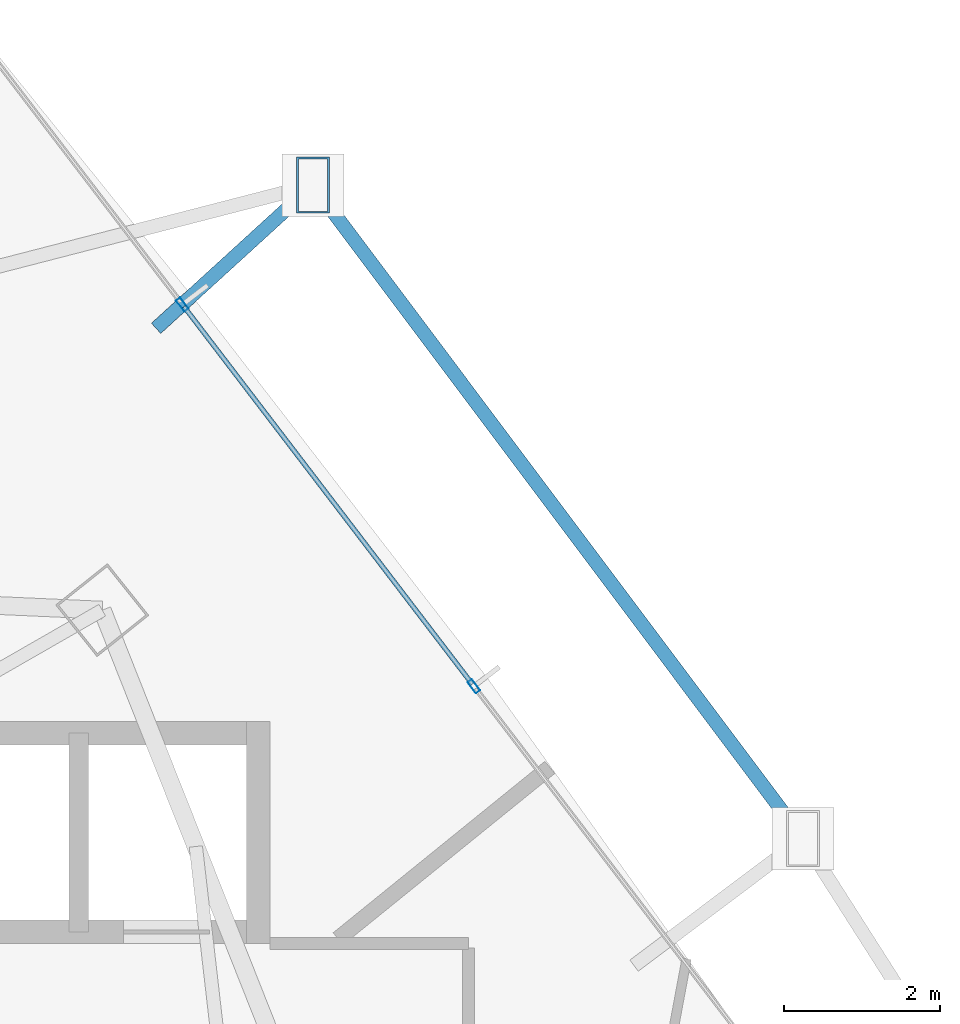
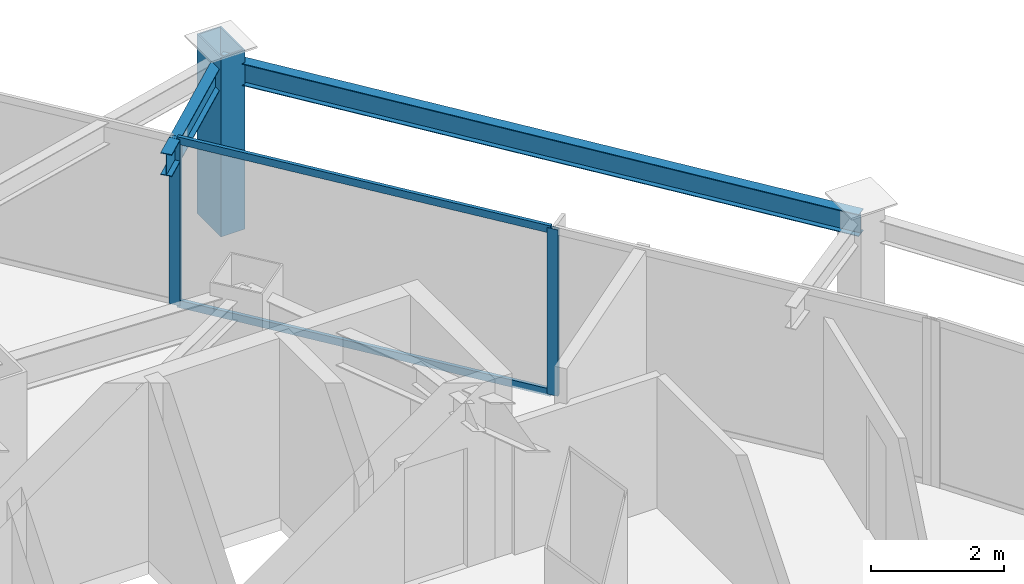
# One storey, part 27 of 34: 5 members, 2 beams, 1 element without a shape of its own.
"""IFC4 building model written with IfcOpenShell, lengths in metres."""

from ifc_helpers import new_model, si_unit, direction, frame, origin, origin_2d, place, context, subcontext, project, spatial, hollow_rectangle, i_section, extrude, material, layer, layer_set, material_profile, profile_set, type_object, element, aggregate, save


model = new_model("IFC4")

# Units and contexts
model_context = context("Model", 3, precision=1e-05, world=origin(), true_north=direction((0.0, 1.0)))
body_context = subcontext(model_context, "Body", "Model", "MODEL_VIEW")
ifc_project = project(units=[si_unit("LENGTHUNIT", "METRE"), si_unit("AREAUNIT", "SQUARE_METRE"), si_unit("VOLUMEUNIT", "CUBIC_METRE"), si_unit("PLANEANGLEUNIT", "RADIAN"), si_unit("MASSUNIT", "GRAM", prefix="KILO")], contexts=[model_context])

# Site, building, storey
site_placement = place(None, origin())
site = spatial("IfcSite", under=ifc_project, at=site_placement, CompositionType="ELEMENT")
building_placement = place(site_placement, origin())
building = spatial("IfcBuilding", under=site, at=building_placement, Name="Orvanel Arch Residences", CompositionType="ELEMENT")
storey_placement = place(building_placement, frame((0.0, 0.0, 80.75)))
storey = spatial("IfcBuildingStorey", under=building, at=storey_placement, Name="L22", CompositionType="ELEMENT", Elevation=80.75)

# Member
ifc_material_1 = material(Name="Structural steel AS/NZS 3678 Grade 350", Category="steel")
ifc_material_profile_1 = material_profile(ifc_material_1, hollow_rectangle(XDim=0.419921875, YDim=0.719970703125, WallThickness=0.02490234375, at=origin_2d()), Name="RHS720x420x25")
ifc_profile_set_1 = profile_set([ifc_material_profile_1], Name="Structural steel AS/NZS 3678 Grade 350")
member_type_1 = type_object("IfcMemberType", Name="CH-720RHS-EXT", PredefinedType="CHORD", material=ifc_profile_set_1)
member_1_placement = place(storey_placement, frame((40.654052734375, 46.632080078125, 0.0), z_axis=(0.0, 0.0, 1.0), x_axis=(1.0, 0.0, 0.0)))
element("IfcMember", 1, at=member_1_placement, inside=storey, type_object=member_type_1, Name="L22 Outer Perimeter Frame Post 12", PredefinedType="CHORD", context=body_context, shape_type="SweptSolid", body=[
    extrude(hollow_rectangle(XDim=0.419921875, YDim=0.719970703125, WallThickness=0.02490234375, at=origin_2d()), origin(), (0.0, 0.0, 1.0), 3.300048828125),
])

# Curtain wall, members
ifc_material_2 = material(Name="Bronze-anodised aluminium AA6063-T6", Category="aluminium")
ifc_layer = layer(ifc_material_2, 0.179931640625)
ifc_layer_set = layer_set([ifc_layer], Name="Bronze-anodised aluminium AA6063-T6")
curtain_wall_type = type_object("IfcCurtainWallType", Name="CW2-LOW-SYS", PredefinedType="NOTDEFINED", material=ifc_layer_set)
curtain_wall_placement = place(storey_placement, origin())
curtain_wall = element("IfcCurtainWall", 2, at=curtain_wall_placement, inside=storey, type_object=curtain_wall_type, Name="L22 CW2-LOW-SYS Unitised Curtain Wall", PredefinedType="NOTDEFINED")
ifc_material_profile_2 = material_profile(ifc_material_2, hollow_rectangle(XDim=0.070068359375, YDim=0.179931640625, WallThickness=0.00439453125, at=origin_2d()), Name="ALU180x70x4.5")
ifc_profile_set_2 = profile_set([ifc_material_profile_2], Name="Bronze-anodised aluminium AA6063-T6")
member_type_2 = type_object("IfcMemberType", Name="MUL-180x70", PredefinedType="MULLION", material=ifc_profile_set_2)
member_2_placement = place(storey_placement, frame((42.72021484375, 40.201416015625, 0.0), z_axis=(0.0, 0.0, 1.0), x_axis=(-0.794739834664, -0.606950241122, 0.0)))
member_2 = element("IfcMember", 3, at=member_2_placement, type_object=member_type_2, Name="CW-S2 mullion 2", PredefinedType="MULLION", context=body_context, shape_type="SweptSolid", body=[
    extrude(hollow_rectangle(XDim=0.070068359375, YDim=0.179931640625, WallThickness=0.00439453125, at=origin_2d()), origin(), (0.0, 0.0, 1.0), 3.06005859375),
])
member_3_placement = place(storey_placement, frame((38.978759765625, 45.1005859375, 0.0), z_axis=(0.0, 0.0, 1.0), x_axis=(-0.794739834664, -0.606950241122, 0.0)))
member_3 = element("IfcMember", 4, at=member_3_placement, type_object=member_type_2, Name="CW-S2 mullion 3", PredefinedType="MULLION", context=body_context, shape_type="SweptSolid", body=[
    extrude(hollow_rectangle(XDim=0.070068359375, YDim=0.179931640625, WallThickness=0.00439453125, at=origin_2d()), origin(), (0.0, 0.0, 1.0), 3.06005859375),
])

# Beams
ifc_material_3 = material(Name="Structural steel AS/NZS 3679.1 Grade 300 (300 MPa)", Category="steel")
ifc_material_profile_3 = material_profile(ifc_material_3, i_section(OverallWidth=0.177978515625, OverallDepth=0.406005859375, WebThickness=0.0078125, FlangeThickness=0.0126953125, at=origin_2d()), Name="410UB59.7")
ifc_profile_set_3 = profile_set([ifc_material_profile_3], Name="Structural steel AS/NZS 3679.1 Grade 300 (300 MPa)")
beam_type = type_object("IfcBeamType", Name="OB-410UB-EXT", PredefinedType="SPANDREL", material=ifc_profile_set_3)
beam_1_placement = place(storey_placement, frame((46.943115234375, 38.2451171875, 2.85693359375), z_axis=(-0.599929198552, 0.800053096191, 0.0), x_axis=(-0.800053096191, -0.599929198552, 0.0)))
element("IfcBeam", 5, at=beam_1_placement, inside=storey, type_object=beam_type, Name="L22 Outer Perimeter Floor Ring Beam 11", PredefinedType="SPANDREL", context=body_context, shape_type="SweptSolid", body=[
    extrude(i_section(OverallWidth=0.177978515625, OverallDepth=0.406005859375, WebThickness=0.0078125, FlangeThickness=0.0126953125, at=origin_2d()), origin(), (0.0, 0.0, 1.0), 10.48291015625),
])
beam_2_placement = place(storey_placement, frame((38.64111328125, 44.794921875, 2.85693359375), z_axis=(0.738621240492, 0.674120659151, 0.0), x_axis=(-0.674120659151, 0.738621240492, 0.0)))
element("IfcBeam", 6, at=beam_2_placement, inside=storey, type_object=beam_type, Name="L22 Outer Frame Radial Tie Beam 12", PredefinedType="SPANDREL", context=body_context, shape_type="SweptSolid", body=[
    extrude(i_section(OverallWidth=0.177978515625, OverallDepth=0.406005859375, WebThickness=0.0078125, FlangeThickness=0.0126953125, at=origin_2d()), origin(), (0.0, 0.0, 1.0), 2.725341796875),
])

# Member
ifc_material_profile_4 = material_profile(ifc_material_2, hollow_rectangle(XDim=0.06005859375, YDim=0.135009765625, WallThickness=0.00390625, at=origin_2d()), Name="ALU135x60x4")
ifc_profile_set_4 = profile_set([ifc_material_profile_4], Name="Bronze-anodised aluminium AA6063-T6")
member_type_3 = type_object("IfcMemberType", Name="TRN-135x60", PredefinedType="USERDEFINED", material=ifc_profile_set_4)
member_4_placement = place(storey_placement, frame((42.698974609375, 40.229248046875, 0.030029296875), z_axis=(-0.606944427707, 0.79474427439, 0.0), x_axis=(-0.79474427439, -0.606944427707, 0.0)))
member_4 = element("IfcMember", 7, at=member_4_placement, type_object=member_type_3, Name="CW-S2 transom 2.1", ObjectType="TRANSOM", PredefinedType="USERDEFINED", context=body_context, shape_type="SweptSolid", body=[
    extrude(hollow_rectangle(XDim=0.06005859375, YDim=0.135009765625, WallThickness=0.00390625, at=origin_2d()), origin(), (0.0, 0.0, 1.0), 6.094482421875),
])

member_5_placement = place(storey_placement, frame((42.698974609375, 40.229248046875, 3.030029296875), z_axis=(-0.606944427707, 0.79474427439, 0.0), x_axis=(-0.79474427439, -0.606944427707, 0.0)))
member_5 = element("IfcMember", 8, at=member_5_placement, type_object=member_type_3, Name="CW-S2 transom 2.2", ObjectType="TRANSOM", PredefinedType="USERDEFINED", context=body_context, shape_type="SweptSolid", body=[
    extrude(hollow_rectangle(XDim=0.06005859375, YDim=0.135009765625, WallThickness=0.00390625, at=origin_2d()), origin(), (0.0, 0.0, 1.0), 6.094482421875),
])

aggregate(curtain_wall, [member_2, member_3, member_4, member_5])

save(model, "model.ifc")
